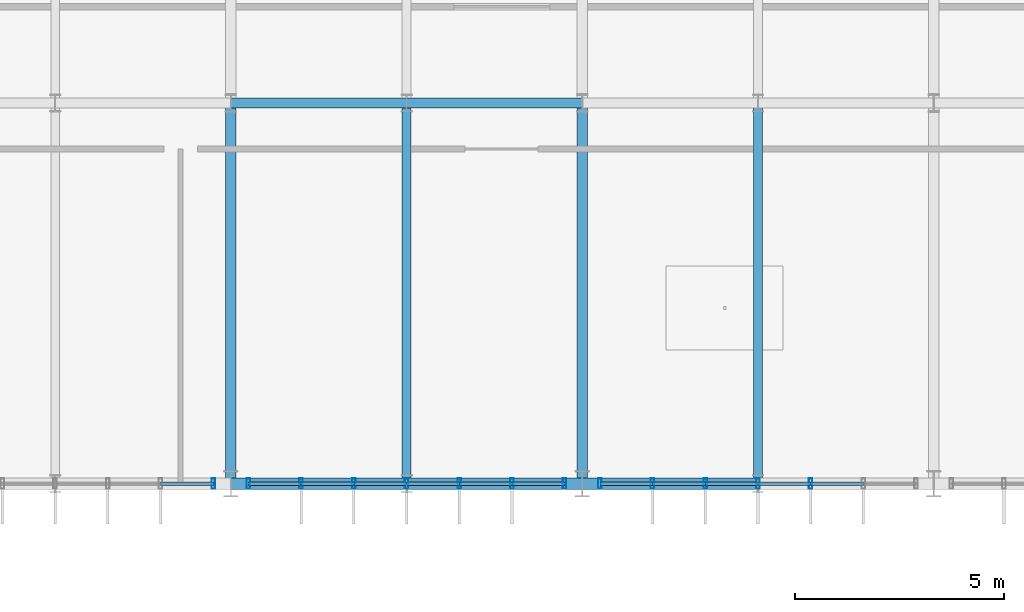
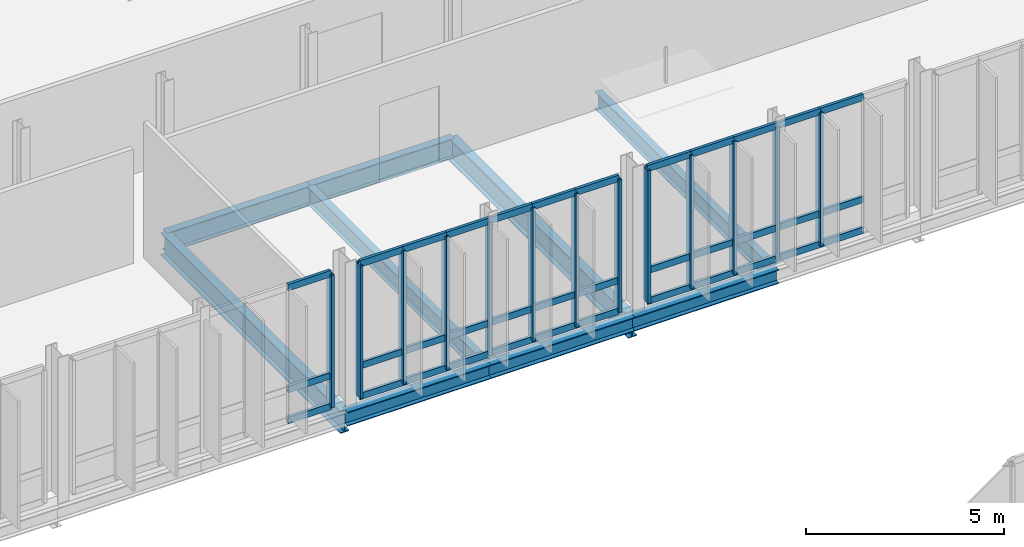
# One storey, part 46 of 139: 49 members, 9 beams, 3 elements without a shape of their own.
"""IFC4 building model written with IfcOpenShell, lengths in metres."""

from ifc_helpers import new_model, si_unit, derived_unit, direction, frame, origin, origin_2d, place, context, subcontext, project, spatial, hollow_rectangle, i_section, extrude, material, layer, layer_set, material_profile, profile_set, type_object, element, aggregate, save


model = new_model("IFC4")

# Units and contexts
model_context = context("Model", 3, precision=1e-05, world=origin(), true_north=direction((0.0, 1.0)))
body_context = subcontext(model_context, "Body", "Model", "MODEL_VIEW")
ifc_project = project(units=[si_unit("LENGTHUNIT", "METRE"), si_unit("AREAUNIT", "SQUARE_METRE"), si_unit("VOLUMEUNIT", "CUBIC_METRE"), si_unit("PLANEANGLEUNIT", "RADIAN"), si_unit("MASSUNIT", "GRAM", prefix="KILO"), derived_unit("THERMALTRANSMITTANCEUNIT", [(si_unit("MASSUNIT", "GRAM", prefix="KILO"), 1), (si_unit("TIMEUNIT", "SECOND"), -3), (si_unit("THERMODYNAMICTEMPERATUREUNIT", "KELVIN"), -1)])], contexts=[model_context])

# Site, building, storey
site_placement = place(None, origin())
site = spatial("IfcSite", under=ifc_project, at=site_placement, CompositionType="ELEMENT")
building_placement = place(site_placement, origin())
building = spatial("IfcBuilding", under=site, at=building_placement, Name="Makaiwela Harbour Ferry Terminal", CompositionType="ELEMENT")
storey_placement = place(building_placement, frame((0.0, 0.0, 5.10009765625)))
storey = spatial("IfcBuildingStorey", under=building, at=storey_placement, Name="L01", CompositionType="ELEMENT", Elevation=5.10009765625)

# Curtain wall, member
ifc_material_1 = material(Name="Marine anodised aluminium 6063-T6", Category="aluminium")
ifc_layer = layer(ifc_material_1, 0.199951171875)
ifc_layer_set = layer_set([ifc_layer], Name="Marine anodised aluminium 6063-T6")
curtain_wall_type = type_object("IfcCurtainWallType", Name="ENV-CW-08", PredefinedType="USERDEFINED", material=ifc_layer_set)
curtain_wall_1_placement = place(storey_placement, origin())
curtain_wall_1 = element("IfcCurtainWall", 1, at=curtain_wall_1_placement, inside=storey, type_object=curtain_wall_type, Name="Unitised Curtain Wall CWA-085", ObjectType="UNITIZED CURTAIN WALL", PredefinedType="USERDEFINED")
ifc_material_profile_1 = material_profile(ifc_material_1, hollow_rectangle(XDim=0.0849609375, YDim=0.25, WallThickness=0.0048828125, at=origin_2d()), Name="CWM-250X85")
ifc_profile_set_1 = profile_set([ifc_material_profile_1], Name="Marine anodised aluminium 6063-T6")
member_type_1 = type_object("IfcMemberType", Name="CW-MUL-250", PredefinedType="MULLION", material=ifc_profile_set_1)
member_1_placement = place(storey_placement, frame((112.97998046875, 49.39990234375, 0.0), z_axis=(0.0, 0.0, 1.0), x_axis=(1.0, 0.0, 0.0)))
member_1 = element("IfcMember", 2, at=member_1_placement, type_object=member_type_1, Name="Curtain Wall Mullion CWA-085-1", PredefinedType="MULLION", context=body_context, shape_type="SweptSolid", body=[
    extrude(hollow_rectangle(XDim=0.0849609375, YDim=0.25, WallThickness=0.0048828125, at=origin_2d()), origin(), (0.0, 0.0, 1.0), 4.099853515625),
])

# Curtain wall, members
curtain_wall_2_placement = place(storey_placement, origin())
curtain_wall_2 = element("IfcCurtainWall", 3, at=curtain_wall_2_placement, inside=storey, type_object=curtain_wall_type, Name="Unitised Curtain Wall CWA-088", ObjectType="UNITIZED CURTAIN WALL", PredefinedType="USERDEFINED")
member_2_placement = place(storey_placement, frame((121.3798828125, 49.39990234375, 0.0), z_axis=(0.0, 0.0, 1.0), x_axis=(1.0, 0.0, 0.0)))
member_2 = element("IfcMember", 4, at=member_2_placement, type_object=member_type_1, Name="Curtain Wall Mullion CWA-088-1", PredefinedType="MULLION", context=body_context, shape_type="SweptSolid", body=[
    extrude(hollow_rectangle(XDim=0.0849609375, YDim=0.25, WallThickness=0.0048828125, at=origin_2d()), origin(), (0.0, 0.0, 1.0), 4.099853515625),
])
member_3_placement = place(storey_placement, frame((120.1201171875, 49.39990234375, 0.0), z_axis=(0.0, 0.0, 1.0), x_axis=(1.0, 0.0, 0.0)))
member_3 = element("IfcMember", 5, at=member_3_placement, type_object=member_type_1, Name="Curtain Wall Mullion CWA-088-2", PredefinedType="MULLION", context=body_context, shape_type="SweptSolid", body=[
    extrude(hollow_rectangle(XDim=0.0849609375, YDim=0.25, WallThickness=0.0048828125, at=origin_2d()), origin(), (0.0, 0.0, 1.0), 4.099853515625),
])
member_4_placement = place(storey_placement, frame((118.860107421875, 49.39990234375, 0.0), z_axis=(0.0, 0.0, 1.0), x_axis=(1.0, 0.0, 0.0)))
member_4 = element("IfcMember", 6, at=member_4_placement, type_object=member_type_1, Name="Curtain Wall Mullion CWA-088-3", PredefinedType="MULLION", context=body_context, shape_type="SweptSolid", body=[
    extrude(hollow_rectangle(XDim=0.0849609375, YDim=0.25, WallThickness=0.0048828125, at=origin_2d()), origin(), (0.0, 0.0, 1.0), 4.099853515625),
])
member_5_placement = place(storey_placement, frame((117.60009765625, 49.39990234375, 0.0), z_axis=(0.0, 0.0, 1.0), x_axis=(1.0, 0.0, 0.0)))
member_5 = element("IfcMember", 7, at=member_5_placement, type_object=member_type_1, Name="Curtain Wall Mullion CWA-088-4", PredefinedType="MULLION", context=body_context, shape_type="SweptSolid", body=[
    extrude(hollow_rectangle(XDim=0.0849609375, YDim=0.25, WallThickness=0.0048828125, at=origin_2d()), origin(), (0.0, 0.0, 1.0), 4.099853515625),
])
member_6_placement = place(storey_placement, frame((116.340087890625, 49.39990234375, 0.0), z_axis=(0.0, 0.0, 1.0), x_axis=(1.0, 0.0, 0.0)))
member_6 = element("IfcMember", 8, at=member_6_placement, type_object=member_type_1, Name="Curtain Wall Mullion CWA-088-5", PredefinedType="MULLION", context=body_context, shape_type="SweptSolid", body=[
    extrude(hollow_rectangle(XDim=0.0849609375, YDim=0.25, WallThickness=0.0048828125, at=origin_2d()), origin(), (0.0, 0.0, 1.0), 4.099853515625),
])
member_7_placement = place(storey_placement, frame((115.080078125, 49.39990234375, 0.0), z_axis=(0.0, 0.0, 1.0), x_axis=(1.0, 0.0, 0.0)))
member_7 = element("IfcMember", 9, at=member_7_placement, type_object=member_type_1, Name="Curtain Wall Mullion CWA-088-6", PredefinedType="MULLION", context=body_context, shape_type="SweptSolid", body=[
    extrude(hollow_rectangle(XDim=0.0849609375, YDim=0.25, WallThickness=0.0048828125, at=origin_2d()), origin(), (0.0, 0.0, 1.0), 4.099853515625),
])
member_8_placement = place(storey_placement, frame((113.820068359375, 49.39990234375, 0.0), z_axis=(0.0, 0.0, 1.0), x_axis=(1.0, 0.0, 0.0)))
member_8 = element("IfcMember", 10, at=member_8_placement, type_object=member_type_1, Name="Curtain Wall Mullion CWA-088-7", PredefinedType="MULLION", context=body_context, shape_type="SweptSolid", body=[
    extrude(hollow_rectangle(XDim=0.0849609375, YDim=0.25, WallThickness=0.0048828125, at=origin_2d()), origin(), (0.0, 0.0, 1.0), 4.099853515625),
])

curtain_wall_3_placement = place(storey_placement, origin())
curtain_wall_3 = element("IfcCurtainWall", 11, at=curtain_wall_3_placement, inside=storey, type_object=curtain_wall_type, Name="Unitised Curtain Wall CWA-092", ObjectType="UNITIZED CURTAIN WALL", PredefinedType="USERDEFINED")
member_9_placement = place(storey_placement, frame((127.260009765625, 49.39990234375, 0.0), z_axis=(0.0, 0.0, 1.0), x_axis=(1.0, 0.0, 0.0)))
member_9 = element("IfcMember", 12, at=member_9_placement, type_object=member_type_1, Name="Curtain Wall Mullion CWA-092-3", PredefinedType="MULLION", context=body_context, shape_type="SweptSolid", body=[
    extrude(hollow_rectangle(XDim=0.0849609375, YDim=0.25, WallThickness=0.0048828125, at=origin_2d()), origin(), (0.0, 0.0, 1.0), 4.099853515625),
])
member_10_placement = place(storey_placement, frame((126.0, 49.39990234375, 0.0), z_axis=(0.0, 0.0, 1.0), x_axis=(1.0, 0.0, 0.0)))
member_10 = element("IfcMember", 13, at=member_10_placement, type_object=member_type_1, Name="Curtain Wall Mullion CWA-092-4", PredefinedType="MULLION", context=body_context, shape_type="SweptSolid", body=[
    extrude(hollow_rectangle(XDim=0.0849609375, YDim=0.25, WallThickness=0.0048828125, at=origin_2d()), origin(), (0.0, 0.0, 1.0), 4.099853515625),
])
member_11_placement = place(storey_placement, frame((124.739990234375, 49.39990234375, 0.0), z_axis=(0.0, 0.0, 1.0), x_axis=(1.0, 0.0, 0.0)))
member_11 = element("IfcMember", 14, at=member_11_placement, type_object=member_type_1, Name="Curtain Wall Mullion CWA-092-5", PredefinedType="MULLION", context=body_context, shape_type="SweptSolid", body=[
    extrude(hollow_rectangle(XDim=0.0849609375, YDim=0.25, WallThickness=0.0048828125, at=origin_2d()), origin(), (0.0, 0.0, 1.0), 4.099853515625),
])
member_12_placement = place(storey_placement, frame((123.47998046875, 49.39990234375, 0.0), z_axis=(0.0, 0.0, 1.0), x_axis=(1.0, 0.0, 0.0)))
member_12 = element("IfcMember", 15, at=member_12_placement, type_object=member_type_1, Name="Curtain Wall Mullion CWA-092-6", PredefinedType="MULLION", context=body_context, shape_type="SweptSolid", body=[
    extrude(hollow_rectangle(XDim=0.0849609375, YDim=0.25, WallThickness=0.0048828125, at=origin_2d()), origin(), (0.0, 0.0, 1.0), 4.099853515625),
])
member_13_placement = place(storey_placement, frame((122.219970703125, 49.39990234375, 0.0), z_axis=(0.0, 0.0, 1.0), x_axis=(1.0, 0.0, 0.0)))
member_13 = element("IfcMember", 16, at=member_13_placement, type_object=member_type_1, Name="Curtain Wall Mullion CWA-092-7", PredefinedType="MULLION", context=body_context, shape_type="SweptSolid", body=[
    extrude(hollow_rectangle(XDim=0.0849609375, YDim=0.25, WallThickness=0.0048828125, at=origin_2d()), origin(), (0.0, 0.0, 1.0), 4.099853515625),
])

# Member
ifc_material_profile_2 = material_profile(ifc_material_1, hollow_rectangle(XDim=0.0849609375, YDim=0.199951171875, WallThickness=0.0048828125, at=origin_2d()), Name="CWT-200X85")
ifc_profile_set_2 = profile_set([ifc_material_profile_2], Name="Marine anodised aluminium 6063-T6")
member_type_2 = type_object("IfcMemberType", Name="CW-TRN-200", PredefinedType="USERDEFINED", material=ifc_profile_set_2)
member_14_placement = place(storey_placement, frame((112.97998046875, 49.39990234375, 0.0), z_axis=(-1.0, 0.0, 0.0), x_axis=(0.0, -1.0, 0.0)))
member_14 = element("IfcMember", 17, at=member_14_placement, type_object=member_type_2, Name="Curtain Wall Transom CWA-085-1-1", ObjectType="TRANSOM", PredefinedType="USERDEFINED", context=body_context, shape_type="SweptSolid", body=[
    extrude(hollow_rectangle(XDim=0.0849609375, YDim=0.199951171875, WallThickness=0.0048828125, at=origin_2d()), origin(), (0.0, 0.0, 1.0), 1.260009765625),
])

member_15_placement = place(storey_placement, frame((112.97998046875, 49.39990234375, 0.949951171875), z_axis=(-1.0, 0.0, 0.0), x_axis=(0.0, -1.0, 0.0)))
member_15 = element("IfcMember", 18, at=member_15_placement, type_object=member_type_2, Name="Curtain Wall Transom CWA-085-1-2", ObjectType="TRANSOM", PredefinedType="USERDEFINED", context=body_context, shape_type="SweptSolid", body=[
    extrude(hollow_rectangle(XDim=0.0849609375, YDim=0.199951171875, WallThickness=0.0048828125, at=origin_2d()), origin(), (0.0, 0.0, 1.0), 1.260009765625),
])

member_16_placement = place(storey_placement, frame((112.97998046875, 49.39990234375, 4.099853515625), z_axis=(-1.0, 0.0, 0.0), x_axis=(0.0, -1.0, 0.0)))
member_16 = element("IfcMember", 19, at=member_16_placement, type_object=member_type_2, Name="Curtain Wall Transom CWA-085-1-3", ObjectType="TRANSOM", PredefinedType="USERDEFINED", context=body_context, shape_type="SweptSolid", body=[
    extrude(hollow_rectangle(XDim=0.0849609375, YDim=0.199951171875, WallThickness=0.0048828125, at=origin_2d()), origin(), (0.0, 0.0, 1.0), 1.260009765625),
])

aggregate(curtain_wall_1, [member_1, member_14, member_15, member_16])

member_17_placement = place(storey_placement, frame((121.3798828125, 49.39990234375, 0.0), z_axis=(-1.0, 0.0, 0.0), x_axis=(0.0, -1.0, 0.0)))
member_17 = element("IfcMember", 20, at=member_17_placement, type_object=member_type_2, Name="Curtain Wall Transom CWA-088-1-1", ObjectType="TRANSOM", PredefinedType="USERDEFINED", context=body_context, shape_type="SweptSolid", body=[
    extrude(hollow_rectangle(XDim=0.0849609375, YDim=0.199951171875, WallThickness=0.0048828125, at=origin_2d()), origin(), (0.0, 0.0, 1.0), 1.259765625),
])

member_18_placement = place(storey_placement, frame((121.3798828125, 49.39990234375, 0.949951171875), z_axis=(-1.0, 0.0, 0.0), x_axis=(0.0, -1.0, 0.0)))
member_18 = element("IfcMember", 21, at=member_18_placement, type_object=member_type_2, Name="Curtain Wall Transom CWA-088-1-2", ObjectType="TRANSOM", PredefinedType="USERDEFINED", context=body_context, shape_type="SweptSolid", body=[
    extrude(hollow_rectangle(XDim=0.0849609375, YDim=0.199951171875, WallThickness=0.0048828125, at=origin_2d()), origin(), (0.0, 0.0, 1.0), 1.259765625),
])

member_19_placement = place(storey_placement, frame((121.3798828125, 49.39990234375, 4.099853515625), z_axis=(-1.0, 0.0, 0.0), x_axis=(0.0, -1.0, 0.0)))
member_19 = element("IfcMember", 22, at=member_19_placement, type_object=member_type_2, Name="Curtain Wall Transom CWA-088-1-3", ObjectType="TRANSOM", PredefinedType="USERDEFINED", context=body_context, shape_type="SweptSolid", body=[
    extrude(hollow_rectangle(XDim=0.0849609375, YDim=0.199951171875, WallThickness=0.0048828125, at=origin_2d()), origin(), (0.0, 0.0, 1.0), 1.259765625),
])

member_20_placement = place(storey_placement, frame((120.1201171875, 49.39990234375, 0.0), z_axis=(-1.0, 0.0, 0.0), x_axis=(0.0, -1.0, 0.0)))
member_20 = element("IfcMember", 23, at=member_20_placement, type_object=member_type_2, Name="Curtain Wall Transom CWA-088-2-1", ObjectType="TRANSOM", PredefinedType="USERDEFINED", context=body_context, shape_type="SweptSolid", body=[
    extrude(hollow_rectangle(XDim=0.0849609375, YDim=0.199951171875, WallThickness=0.0048828125, at=origin_2d()), origin(), (0.0, 0.0, 1.0), 1.260009765625),
])

member_21_placement = place(storey_placement, frame((120.1201171875, 49.39990234375, 0.949951171875), z_axis=(-1.0, 0.0, 0.0), x_axis=(0.0, -1.0, 0.0)))
member_21 = element("IfcMember", 24, at=member_21_placement, type_object=member_type_2, Name="Curtain Wall Transom CWA-088-2-2", ObjectType="TRANSOM", PredefinedType="USERDEFINED", context=body_context, shape_type="SweptSolid", body=[
    extrude(hollow_rectangle(XDim=0.0849609375, YDim=0.199951171875, WallThickness=0.0048828125, at=origin_2d()), origin(), (0.0, 0.0, 1.0), 1.260009765625),
])

member_22_placement = place(storey_placement, frame((120.1201171875, 49.39990234375, 4.099853515625), z_axis=(-1.0, 0.0, 0.0), x_axis=(0.0, -1.0, 0.0)))
member_22 = element("IfcMember", 25, at=member_22_placement, type_object=member_type_2, Name="Curtain Wall Transom CWA-088-2-3", ObjectType="TRANSOM", PredefinedType="USERDEFINED", context=body_context, shape_type="SweptSolid", body=[
    extrude(hollow_rectangle(XDim=0.0849609375, YDim=0.199951171875, WallThickness=0.0048828125, at=origin_2d()), origin(), (0.0, 0.0, 1.0), 1.260009765625),
])

member_23_placement = place(storey_placement, frame((118.860107421875, 49.39990234375, 0.0), z_axis=(-1.0, 0.0, 0.0), x_axis=(0.0, -1.0, 0.0)))
member_23 = element("IfcMember", 26, at=member_23_placement, type_object=member_type_2, Name="Curtain Wall Transom CWA-088-3-1", ObjectType="TRANSOM", PredefinedType="USERDEFINED", context=body_context, shape_type="SweptSolid", body=[
    extrude(hollow_rectangle(XDim=0.0849609375, YDim=0.199951171875, WallThickness=0.0048828125, at=origin_2d()), origin(), (0.0, 0.0, 1.0), 1.260009765625),
])

member_24_placement = place(storey_placement, frame((118.860107421875, 49.39990234375, 0.949951171875), z_axis=(-1.0, 0.0, 0.0), x_axis=(0.0, -1.0, 0.0)))
member_24 = element("IfcMember", 27, at=member_24_placement, type_object=member_type_2, Name="Curtain Wall Transom CWA-088-3-2", ObjectType="TRANSOM", PredefinedType="USERDEFINED", context=body_context, shape_type="SweptSolid", body=[
    extrude(hollow_rectangle(XDim=0.0849609375, YDim=0.199951171875, WallThickness=0.0048828125, at=origin_2d()), origin(), (0.0, 0.0, 1.0), 1.260009765625),
])

member_25_placement = place(storey_placement, frame((118.860107421875, 49.39990234375, 4.099853515625), z_axis=(-1.0, 0.0, 0.0), x_axis=(0.0, -1.0, 0.0)))
member_25 = element("IfcMember", 28, at=member_25_placement, type_object=member_type_2, Name="Curtain Wall Transom CWA-088-3-3", ObjectType="TRANSOM", PredefinedType="USERDEFINED", context=body_context, shape_type="SweptSolid", body=[
    extrude(hollow_rectangle(XDim=0.0849609375, YDim=0.199951171875, WallThickness=0.0048828125, at=origin_2d()), origin(), (0.0, 0.0, 1.0), 1.260009765625),
])

member_26_placement = place(storey_placement, frame((117.60009765625, 49.39990234375, 0.0), z_axis=(-1.0, 0.0, 0.0), x_axis=(0.0, -1.0, 0.0)))
member_26 = element("IfcMember", 29, at=member_26_placement, type_object=member_type_2, Name="Curtain Wall Transom CWA-088-4-1", ObjectType="TRANSOM", PredefinedType="USERDEFINED", context=body_context, shape_type="SweptSolid", body=[
    extrude(hollow_rectangle(XDim=0.0849609375, YDim=0.199951171875, WallThickness=0.0048828125, at=origin_2d()), origin(), (0.0, 0.0, 1.0), 1.260009765625),
])

member_27_placement = place(storey_placement, frame((117.60009765625, 49.39990234375, 0.949951171875), z_axis=(-1.0, 0.0, 0.0), x_axis=(0.0, -1.0, 0.0)))
member_27 = element("IfcMember", 30, at=member_27_placement, type_object=member_type_2, Name="Curtain Wall Transom CWA-088-4-2", ObjectType="TRANSOM", PredefinedType="USERDEFINED", context=body_context, shape_type="SweptSolid", body=[
    extrude(hollow_rectangle(XDim=0.0849609375, YDim=0.199951171875, WallThickness=0.0048828125, at=origin_2d()), origin(), (0.0, 0.0, 1.0), 1.260009765625),
])

member_28_placement = place(storey_placement, frame((117.60009765625, 49.39990234375, 4.099853515625), z_axis=(-1.0, 0.0, 0.0), x_axis=(0.0, -1.0, 0.0)))
member_28 = element("IfcMember", 31, at=member_28_placement, type_object=member_type_2, Name="Curtain Wall Transom CWA-088-4-3", ObjectType="TRANSOM", PredefinedType="USERDEFINED", context=body_context, shape_type="SweptSolid", body=[
    extrude(hollow_rectangle(XDim=0.0849609375, YDim=0.199951171875, WallThickness=0.0048828125, at=origin_2d()), origin(), (0.0, 0.0, 1.0), 1.260009765625),
])

member_29_placement = place(storey_placement, frame((116.340087890625, 49.39990234375, 0.0), z_axis=(-1.0, 0.0, 0.0), x_axis=(0.0, -1.0, 0.0)))
member_29 = element("IfcMember", 32, at=member_29_placement, type_object=member_type_2, Name="Curtain Wall Transom CWA-088-5-1", ObjectType="TRANSOM", PredefinedType="USERDEFINED", context=body_context, shape_type="SweptSolid", body=[
    extrude(hollow_rectangle(XDim=0.0849609375, YDim=0.199951171875, WallThickness=0.0048828125, at=origin_2d()), origin(), (0.0, 0.0, 1.0), 1.260009765625),
])

member_30_placement = place(storey_placement, frame((116.340087890625, 49.39990234375, 0.949951171875), z_axis=(-1.0, 0.0, 0.0), x_axis=(0.0, -1.0, 0.0)))
member_30 = element("IfcMember", 33, at=member_30_placement, type_object=member_type_2, Name="Curtain Wall Transom CWA-088-5-2", ObjectType="TRANSOM", PredefinedType="USERDEFINED", context=body_context, shape_type="SweptSolid", body=[
    extrude(hollow_rectangle(XDim=0.0849609375, YDim=0.199951171875, WallThickness=0.0048828125, at=origin_2d()), origin(), (0.0, 0.0, 1.0), 1.260009765625),
])

member_31_placement = place(storey_placement, frame((116.340087890625, 49.39990234375, 4.099853515625), z_axis=(-1.0, 0.0, 0.0), x_axis=(0.0, -1.0, 0.0)))
member_31 = element("IfcMember", 34, at=member_31_placement, type_object=member_type_2, Name="Curtain Wall Transom CWA-088-5-3", ObjectType="TRANSOM", PredefinedType="USERDEFINED", context=body_context, shape_type="SweptSolid", body=[
    extrude(hollow_rectangle(XDim=0.0849609375, YDim=0.199951171875, WallThickness=0.0048828125, at=origin_2d()), origin(), (0.0, 0.0, 1.0), 1.260009765625),
])

member_32_placement = place(storey_placement, frame((115.080078125, 49.39990234375, 0.0), z_axis=(-1.0, 0.0, 0.0), x_axis=(0.0, -1.0, 0.0)))
member_32 = element("IfcMember", 35, at=member_32_placement, type_object=member_type_2, Name="Curtain Wall Transom CWA-088-6-1", ObjectType="TRANSOM", PredefinedType="USERDEFINED", context=body_context, shape_type="SweptSolid", body=[
    extrude(hollow_rectangle(XDim=0.0849609375, YDim=0.199951171875, WallThickness=0.0048828125, at=origin_2d()), origin(), (0.0, 0.0, 1.0), 1.260009765625),
])

member_33_placement = place(storey_placement, frame((115.080078125, 49.39990234375, 0.949951171875), z_axis=(-1.0, 0.0, 0.0), x_axis=(0.0, -1.0, 0.0)))
member_33 = element("IfcMember", 36, at=member_33_placement, type_object=member_type_2, Name="Curtain Wall Transom CWA-088-6-2", ObjectType="TRANSOM", PredefinedType="USERDEFINED", context=body_context, shape_type="SweptSolid", body=[
    extrude(hollow_rectangle(XDim=0.0849609375, YDim=0.199951171875, WallThickness=0.0048828125, at=origin_2d()), origin(), (0.0, 0.0, 1.0), 1.260009765625),
])

member_34_placement = place(storey_placement, frame((115.080078125, 49.39990234375, 4.099853515625), z_axis=(-1.0, 0.0, 0.0), x_axis=(0.0, -1.0, 0.0)))
member_34 = element("IfcMember", 37, at=member_34_placement, type_object=member_type_2, Name="Curtain Wall Transom CWA-088-6-3", ObjectType="TRANSOM", PredefinedType="USERDEFINED", context=body_context, shape_type="SweptSolid", body=[
    extrude(hollow_rectangle(XDim=0.0849609375, YDim=0.199951171875, WallThickness=0.0048828125, at=origin_2d()), origin(), (0.0, 0.0, 1.0), 1.260009765625),
])

aggregate(curtain_wall_2, [member_2, member_3, member_4, member_5, member_6, member_7, member_8, member_17, member_18, member_19, member_20, member_21, member_22, member_23, member_24, member_25, member_26, member_27, member_28, member_29, member_30, member_31, member_32, member_33, member_34])

member_35_placement = place(storey_placement, frame((128.52001953125, 49.39990234375, 0.0), z_axis=(-1.0, 0.0, 0.0), x_axis=(0.0, -1.0, 0.0)))
member_35 = element("IfcMember", 38, at=member_35_placement, type_object=member_type_2, Name="Curtain Wall Transom CWA-092-2-1", ObjectType="TRANSOM", PredefinedType="USERDEFINED", context=body_context, shape_type="SweptSolid", body=[
    extrude(hollow_rectangle(XDim=0.0849609375, YDim=0.199951171875, WallThickness=0.0048828125, at=origin_2d()), origin(), (0.0, 0.0, 1.0), 1.260009765625),
])

member_36_placement = place(storey_placement, frame((128.52001953125, 49.39990234375, 0.949951171875), z_axis=(-1.0, 0.0, 0.0), x_axis=(0.0, -1.0, 0.0)))
member_36 = element("IfcMember", 39, at=member_36_placement, type_object=member_type_2, Name="Curtain Wall Transom CWA-092-2-2", ObjectType="TRANSOM", PredefinedType="USERDEFINED", context=body_context, shape_type="SweptSolid", body=[
    extrude(hollow_rectangle(XDim=0.0849609375, YDim=0.199951171875, WallThickness=0.0048828125, at=origin_2d()), origin(), (0.0, 0.0, 1.0), 1.260009765625),
])

member_37_placement = place(storey_placement, frame((128.52001953125, 49.39990234375, 4.099853515625), z_axis=(-1.0, 0.0, 0.0), x_axis=(0.0, -1.0, 0.0)))
member_37 = element("IfcMember", 40, at=member_37_placement, type_object=member_type_2, Name="Curtain Wall Transom CWA-092-2-3", ObjectType="TRANSOM", PredefinedType="USERDEFINED", context=body_context, shape_type="SweptSolid", body=[
    extrude(hollow_rectangle(XDim=0.0849609375, YDim=0.199951171875, WallThickness=0.0048828125, at=origin_2d()), origin(), (0.0, 0.0, 1.0), 1.260009765625),
])

member_38_placement = place(storey_placement, frame((127.260009765625, 49.39990234375, 0.0), z_axis=(-1.0, 0.0, 0.0), x_axis=(0.0, -1.0, 0.0)))
member_38 = element("IfcMember", 41, at=member_38_placement, type_object=member_type_2, Name="Curtain Wall Transom CWA-092-3-1", ObjectType="TRANSOM", PredefinedType="USERDEFINED", context=body_context, shape_type="SweptSolid", body=[
    extrude(hollow_rectangle(XDim=0.0849609375, YDim=0.199951171875, WallThickness=0.0048828125, at=origin_2d()), origin(), (0.0, 0.0, 1.0), 1.260009765625),
])

member_39_placement = place(storey_placement, frame((127.260009765625, 49.39990234375, 0.949951171875), z_axis=(-1.0, 0.0, 0.0), x_axis=(0.0, -1.0, 0.0)))
member_39 = element("IfcMember", 42, at=member_39_placement, type_object=member_type_2, Name="Curtain Wall Transom CWA-092-3-2", ObjectType="TRANSOM", PredefinedType="USERDEFINED", context=body_context, shape_type="SweptSolid", body=[
    extrude(hollow_rectangle(XDim=0.0849609375, YDim=0.199951171875, WallThickness=0.0048828125, at=origin_2d()), origin(), (0.0, 0.0, 1.0), 1.260009765625),
])

member_40_placement = place(storey_placement, frame((127.260009765625, 49.39990234375, 4.099853515625), z_axis=(-1.0, 0.0, 0.0), x_axis=(0.0, -1.0, 0.0)))
member_40 = element("IfcMember", 43, at=member_40_placement, type_object=member_type_2, Name="Curtain Wall Transom CWA-092-3-3", ObjectType="TRANSOM", PredefinedType="USERDEFINED", context=body_context, shape_type="SweptSolid", body=[
    extrude(hollow_rectangle(XDim=0.0849609375, YDim=0.199951171875, WallThickness=0.0048828125, at=origin_2d()), origin(), (0.0, 0.0, 1.0), 1.260009765625),
])

member_41_placement = place(storey_placement, frame((126.0, 49.39990234375, 0.0), z_axis=(-1.0, 0.0, 0.0), x_axis=(0.0, -1.0, 0.0)))
member_41 = element("IfcMember", 44, at=member_41_placement, type_object=member_type_2, Name="Curtain Wall Transom CWA-092-4-1", ObjectType="TRANSOM", PredefinedType="USERDEFINED", context=body_context, shape_type="SweptSolid", body=[
    extrude(hollow_rectangle(XDim=0.0849609375, YDim=0.199951171875, WallThickness=0.0048828125, at=origin_2d()), origin(), (0.0, 0.0, 1.0), 1.260009765625),
])

member_42_placement = place(storey_placement, frame((126.0, 49.39990234375, 0.949951171875), z_axis=(-1.0, 0.0, 0.0), x_axis=(0.0, -1.0, 0.0)))
member_42 = element("IfcMember", 45, at=member_42_placement, type_object=member_type_2, Name="Curtain Wall Transom CWA-092-4-2", ObjectType="TRANSOM", PredefinedType="USERDEFINED", context=body_context, shape_type="SweptSolid", body=[
    extrude(hollow_rectangle(XDim=0.0849609375, YDim=0.199951171875, WallThickness=0.0048828125, at=origin_2d()), origin(), (0.0, 0.0, 1.0), 1.260009765625),
])

member_43_placement = place(storey_placement, frame((126.0, 49.39990234375, 4.099853515625), z_axis=(-1.0, 0.0, 0.0), x_axis=(0.0, -1.0, 0.0)))
member_43 = element("IfcMember", 46, at=member_43_placement, type_object=member_type_2, Name="Curtain Wall Transom CWA-092-4-3", ObjectType="TRANSOM", PredefinedType="USERDEFINED", context=body_context, shape_type="SweptSolid", body=[
    extrude(hollow_rectangle(XDim=0.0849609375, YDim=0.199951171875, WallThickness=0.0048828125, at=origin_2d()), origin(), (0.0, 0.0, 1.0), 1.260009765625),
])

member_44_placement = place(storey_placement, frame((124.739990234375, 49.39990234375, 0.0), z_axis=(-1.0, 0.0, 0.0), x_axis=(0.0, -1.0, 0.0)))
member_44 = element("IfcMember", 47, at=member_44_placement, type_object=member_type_2, Name="Curtain Wall Transom CWA-092-5-1", ObjectType="TRANSOM", PredefinedType="USERDEFINED", context=body_context, shape_type="SweptSolid", body=[
    extrude(hollow_rectangle(XDim=0.0849609375, YDim=0.199951171875, WallThickness=0.0048828125, at=origin_2d()), origin(), (0.0, 0.0, 1.0), 1.260009765625),
])

member_45_placement = place(storey_placement, frame((124.739990234375, 49.39990234375, 0.949951171875), z_axis=(-1.0, 0.0, 0.0), x_axis=(0.0, -1.0, 0.0)))
member_45 = element("IfcMember", 48, at=member_45_placement, type_object=member_type_2, Name="Curtain Wall Transom CWA-092-5-2", ObjectType="TRANSOM", PredefinedType="USERDEFINED", context=body_context, shape_type="SweptSolid", body=[
    extrude(hollow_rectangle(XDim=0.0849609375, YDim=0.199951171875, WallThickness=0.0048828125, at=origin_2d()), origin(), (0.0, 0.0, 1.0), 1.260009765625),
])

member_46_placement = place(storey_placement, frame((124.739990234375, 49.39990234375, 4.099853515625), z_axis=(-1.0, 0.0, 0.0), x_axis=(0.0, -1.0, 0.0)))
member_46 = element("IfcMember", 49, at=member_46_placement, type_object=member_type_2, Name="Curtain Wall Transom CWA-092-5-3", ObjectType="TRANSOM", PredefinedType="USERDEFINED", context=body_context, shape_type="SweptSolid", body=[
    extrude(hollow_rectangle(XDim=0.0849609375, YDim=0.199951171875, WallThickness=0.0048828125, at=origin_2d()), origin(), (0.0, 0.0, 1.0), 1.260009765625),
])

member_47_placement = place(storey_placement, frame((123.47998046875, 49.39990234375, 0.0), z_axis=(-1.0, 0.0, 0.0), x_axis=(0.0, -1.0, 0.0)))
member_47 = element("IfcMember", 50, at=member_47_placement, type_object=member_type_2, Name="Curtain Wall Transom CWA-092-6-1", ObjectType="TRANSOM", PredefinedType="USERDEFINED", context=body_context, shape_type="SweptSolid", body=[
    extrude(hollow_rectangle(XDim=0.0849609375, YDim=0.199951171875, WallThickness=0.0048828125, at=origin_2d()), origin(), (0.0, 0.0, 1.0), 1.260009765625),
])

member_48_placement = place(storey_placement, frame((123.47998046875, 49.39990234375, 0.949951171875), z_axis=(-1.0, 0.0, 0.0), x_axis=(0.0, -1.0, 0.0)))
member_48 = element("IfcMember", 51, at=member_48_placement, type_object=member_type_2, Name="Curtain Wall Transom CWA-092-6-2", ObjectType="TRANSOM", PredefinedType="USERDEFINED", context=body_context, shape_type="SweptSolid", body=[
    extrude(hollow_rectangle(XDim=0.0849609375, YDim=0.199951171875, WallThickness=0.0048828125, at=origin_2d()), origin(), (0.0, 0.0, 1.0), 1.260009765625),
])

member_49_placement = place(storey_placement, frame((123.47998046875, 49.39990234375, 4.099853515625), z_axis=(-1.0, 0.0, 0.0), x_axis=(0.0, -1.0, 0.0)))
member_49 = element("IfcMember", 52, at=member_49_placement, type_object=member_type_2, Name="Curtain Wall Transom CWA-092-6-3", ObjectType="TRANSOM", PredefinedType="USERDEFINED", context=body_context, shape_type="SweptSolid", body=[
    extrude(hollow_rectangle(XDim=0.0849609375, YDim=0.199951171875, WallThickness=0.0048828125, at=origin_2d()), origin(), (0.0, 0.0, 1.0), 1.260009765625),
])

aggregate(curtain_wall_3, [member_9, member_10, member_11, member_12, member_13, member_35, member_36, member_37, member_38, member_39, member_40, member_41, member_42, member_43, member_44, member_45, member_46, member_47, member_48, member_49])

# Beams
ifc_material_2 = material(Name="Steel ASTM A992 Grade 50", Category="steel")
ifc_material_profile_3 = material_profile(ifc_material_2, i_section(OverallWidth=0.2099609375, OverallDepth=0.537109375, WebThickness=0.010986328125, FlangeThickness=0.017333984375, at=origin_2d()), Name="W21X68")
ifc_profile_set_3 = profile_set([ifc_material_profile_3], Name="Steel ASTM A992 Grade 50")
beam_type_1 = type_object("IfcBeamType", Name="STR-BM-W21X68", PredefinedType="BEAM", material=ifc_profile_set_3)
for number, where, z_axis, x_axis, name in (
    (53, (117.60009765625, 49.514404296875, -0.548583984375), (0.0, 1.0, 0.0), (-1.0, 0.0, 0.0), "Secondary floor beam 1130"),
    (54, (126.0, 49.514404296875, -0.548583984375), (0.0, 1.0, 0.0), (-1.0, 0.0, 0.0), "Secondary floor beam 1137"),
):
    element("IfcBeam", number, at=place(storey_placement, frame(where, z_axis=z_axis, x_axis=x_axis)), inside=storey, type_object=beam_type_1, Name=name, PredefinedType="BEAM", context=body_context, shape_type="SweptSolid", body=[
        extrude(i_section(OverallWidth=0.2099609375, OverallDepth=0.537109375, WebThickness=0.010986328125, FlangeThickness=0.017333984375, at=origin_2d()), origin(), (0.0, 0.0, 1.0), 8.88916015625),
    ])
ifc_material_profile_4 = material_profile(ifc_material_2, i_section(OverallWidth=0.22900390625, OverallDepth=0.612060546875, WebThickness=0.011962890625, FlangeThickness=0.01953125, at=origin_2d()), Name="W24X84")
ifc_profile_set_4 = profile_set([ifc_material_profile_4], Name="Steel ASTM A992 Grade 50")
beam_type_2 = type_object("IfcBeamType", Name="STR-GRD-W24X84", PredefinedType="USERDEFINED", material=ifc_profile_set_4)
beam_1_placement = place(storey_placement, frame((113.39990234375, 58.5, -0.586181640625), z_axis=(1.0, 0.0, 0.0), x_axis=(0.0, 1.0, 0.0)))
element("IfcBeam", 55, at=beam_1_placement, inside=storey, type_object=beam_type_2, Name="Primary X girder 838", ObjectType="GIRDER", PredefinedType="USERDEFINED", context=body_context, shape_type="SweptSolid", body=[
    extrude(i_section(OverallWidth=0.22900390625, OverallDepth=0.612060546875, WebThickness=0.011962890625, FlangeThickness=0.01953125, at=origin_2d()), origin(), (0.0, 0.0, 1.0), 4.2001953125),
])
beam_2_placement = place(storey_placement, frame((117.60009765625, 58.5, -0.586181640625), z_axis=(1.0, 0.0, 0.0), x_axis=(0.0, 1.0, 0.0)))
element("IfcBeam", 56, at=beam_2_placement, inside=storey, type_object=beam_type_2, Name="Primary X girder 839", ObjectType="GIRDER", PredefinedType="USERDEFINED", context=body_context, shape_type="SweptSolid", body=[
    extrude(i_section(OverallWidth=0.22900390625, OverallDepth=0.612060546875, WebThickness=0.011962890625, FlangeThickness=0.01953125, at=origin_2d()), origin(), (0.0, 0.0, 1.0), 4.199951171875),
])
ifc_material_profile_5 = material_profile(ifc_material_2, i_section(OverallWidth=0.256103515625, OverallDepth=0.693115234375, WebThickness=0.014404296875, FlangeThickness=0.023681640625, at=origin_2d()), Name="W27X114")
ifc_profile_set_5 = profile_set([ifc_material_profile_5], Name="Steel ASTM A992 Grade 50")
beam_type_3 = type_object("IfcBeamType", Name="STR-GRD-W27X114", PredefinedType="USERDEFINED", material=ifc_profile_set_5)
for number, where, z_axis, x_axis, name in (
    (57, (113.39990234375, 49.39990234375, -0.626708984375), (0.0, 1.0, 0.0), (-1.0, 0.0, 0.0), "Primary Y girder 984"),
    (58, (121.800048828125, 49.39990234375, -0.626708984375), (0.0, 1.0, 0.0), (-1.0, 0.0, 0.0), "Primary Y girder 994"),
):
    element("IfcBeam", number, at=place(storey_placement, frame(where, z_axis=z_axis, x_axis=x_axis)), inside=storey, type_object=beam_type_3, Name=name, ObjectType="GIRDER", PredefinedType="USERDEFINED", context=body_context, shape_type="SweptSolid", body=[
        extrude(i_section(OverallWidth=0.256103515625, OverallDepth=0.693115234375, WebThickness=0.014404296875, FlangeThickness=0.023681640625, at=origin_2d()), origin(), (0.0, 0.0, 1.0), 9.10009765625),
    ])
ifc_material_profile_6 = material_profile(ifc_material_2, i_section(OverallWidth=0.264892578125, OverallDepth=0.430908203125, WebThickness=0.014892578125, FlangeThickness=0.02490234375, at=origin_2d()), Name="W16X100")
ifc_profile_set_6 = profile_set([ifc_material_profile_6], Name="Steel ASTM A992 Grade 50")
beam_type_4 = type_object("IfcBeamType", Name="STR-SPN-W16X100", PredefinedType="SPANDREL", material=ifc_profile_set_6)
beam_3_placement = place(storey_placement, frame((113.39990234375, 49.39990234375, -0.49560546875), z_axis=(1.0, 0.0, 0.0), x_axis=(0.0, 1.0, 0.0)))
element("IfcBeam", 59, at=beam_3_placement, inside=storey, type_object=beam_type_4, Name="Primary X girder 819", PredefinedType="SPANDREL", context=body_context, shape_type="SweptSolid", body=[
    extrude(i_section(OverallWidth=0.264892578125, OverallDepth=0.430908203125, WebThickness=0.014892578125, FlangeThickness=0.02490234375, at=origin_2d()), origin(), (0.0, 0.0, 1.0), 4.2001953125),
])
for number, where, z_axis, x_axis, name in (
    (60, (117.60009765625, 49.39990234375, -0.49560546875), (1.0, 0.0, 0.0), (0.0, 1.0, 0.0), "Primary X girder 820"),
    (61, (121.800048828125, 49.39990234375, -0.49560546875), (1.0, 0.0, 0.0), (0.0, 1.0, 0.0), "Primary X girder 821"),
):
    element("IfcBeam", number, at=place(storey_placement, frame(where, z_axis=z_axis, x_axis=x_axis)), inside=storey, type_object=beam_type_4, Name=name, PredefinedType="SPANDREL", context=body_context, shape_type="SweptSolid", body=[
        extrude(i_section(OverallWidth=0.264892578125, OverallDepth=0.430908203125, WebThickness=0.014892578125, FlangeThickness=0.02490234375, at=origin_2d()), origin(), (0.0, 0.0, 1.0), 4.199951171875),
    ])

save(model, "model.ifc")
